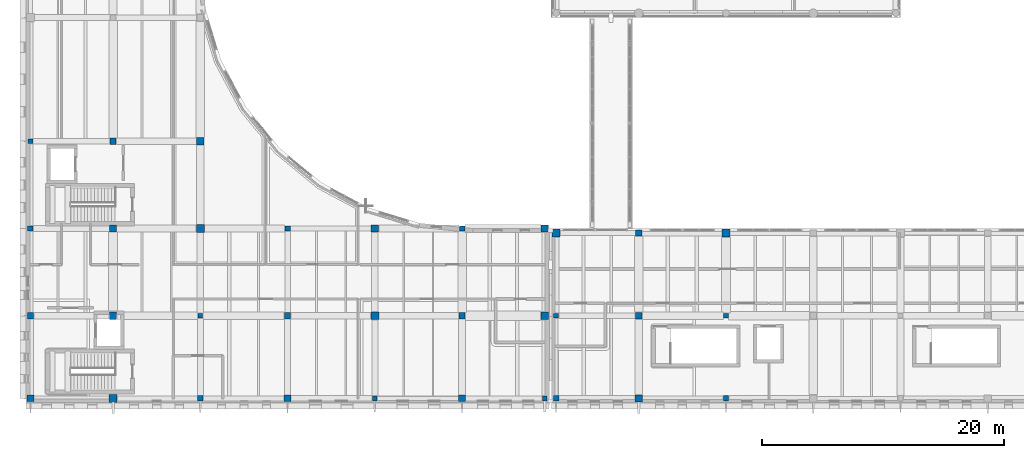
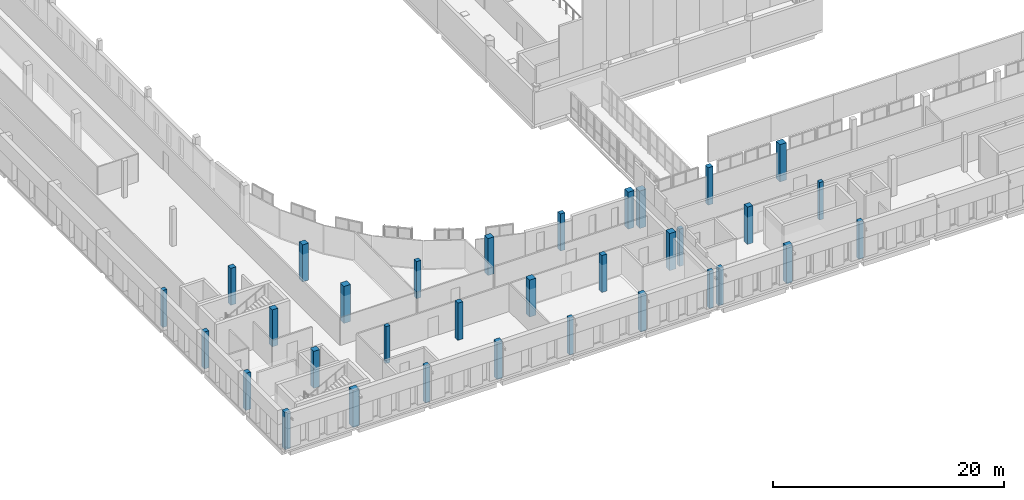
# One storey, part 1 of 76: 33 columns.
"""IFC4 building model written with IfcOpenShell, lengths in metres."""

import ifcopenshell
import ifcopenshell.guid

model = None  # the IFC model being written
_history = None  # IfcOwnerHistory: only IFC2X3 demands one
_inside = {}  # id of a spatial element -> (the spatial element, [elements in it])
_under = {}  # id of a project, library or spatial element -> (it, [spatial elements below it])
_declared = {}  # id of a project -> (the project, [libraries it declares])
_typed = {}  # id of a type object -> (the type object, [elements of that type])
_made_of = {}  # id of a material, layer set ... -> (it, [elements and type objects made of it])


def new_model(schema):
    """Start an empty IFC model of exactly this schema.

    Asked for "IFC4X3", IfcOpenShell would pick the latest addendum, in which some entities
    have other attributes; the version numbers below select the first issue.
    IFC2X3 requires an IfcOwnerHistory on every rooted entity: one is made here for all.
    """
    global model, _history
    if schema == "IFC4X3":
        model = ifcopenshell.file(schema_version=(4, 3, 0, 0))
    else:
        model = ifcopenshell.file(schema=schema)
    _inside.clear()
    _under.clear()
    _declared.clear()
    _typed.clear()
    _made_of.clear()
    _history = None
    if model.schema == "IFC2X3":
        org = make("IfcOrganization", Name="unknown")
        user = make(
            "IfcPersonAndOrganization",
            ThePerson=make("IfcPerson", FamilyName="unknown"),
            TheOrganization=org,
        )
        app = make(
            "IfcApplication",
            ApplicationDeveloper=org,
            Version="unknown",
            ApplicationFullName="unknown",
            ApplicationIdentifier="unknown",
        )
        _history = make(
            "IfcOwnerHistory",
            OwningUser=user,
            OwningApplication=app,
            ChangeAction="ADDED",
            CreationDate=0,
        )
    return model


def make(cls, **values):
    """One entity of the class cls with the attributes given. An attribute that is None is left unset."""
    return model.create_entity(
        cls, **{name: value for name, value in values.items() if value is not None}
    )


def rooted(cls, **values):
    """An entity with a GlobalId (a new one), such as an element, a storey or a relation."""
    return make(cls, GlobalId=ifcopenshell.guid.new(), OwnerHistory=_history, **values)


def si_unit(unit_type, name, prefix=None):
    """IfcSIUnit, for example si_unit("LENGTHUNIT", "METRE", prefix="MILLI")."""
    return make("IfcSIUnit", UnitType=unit_type, Prefix=prefix, Name=name)


def assignment(units):
    """IfcUnitAssignment: the units of a project."""
    return None if units is None else make("IfcUnitAssignment", Units=units)


def point(xyz):
    """IfcCartesianPoint."""
    return None if xyz is None else make("IfcCartesianPoint", Coordinates=xyz)


def direction(xyz):
    """IfcDirection."""
    return None if xyz is None else make("IfcDirection", DirectionRatios=xyz)


def frame(location, z_axis=None, x_axis=None):
    """IfcAxis2Placement3D, a coordinate frame: its origin and axes. An axis left out is left unset."""
    return make(
        "IfcAxis2Placement3D",
        Location=point(location),
        Axis=direction(z_axis),
        RefDirection=direction(x_axis),
    )


def frame_2d(location, x_axis=None):
    """IfcAxis2Placement2D, a coordinate frame in the plane: its origin and x axis."""
    return make(
        "IfcAxis2Placement2D", Location=point(location), RefDirection=direction(x_axis)
    )


def origin():
    """The frame at (0, 0, 0) with its axes left unset."""
    return frame((0.0, 0.0, 0.0))


def origin_2d():
    """The frame at (0, 0) in the plane with its x axis left unset."""
    return frame_2d((0.0, 0.0))


def place(relative_to, where):
    """IfcLocalPlacement: puts the frame where relative to a parent placement (None: the world)."""
    return make(
        "IfcLocalPlacement", PlacementRelTo=relative_to, RelativePlacement=where
    )


def context(
    kind, dimensions, precision=None, world=None, true_north=None, identifier=None
):
    """IfcGeometricRepresentationContext, for example the 3D "Model" context."""
    return make(
        "IfcGeometricRepresentationContext",
        ContextIdentifier=identifier,
        ContextType=kind,
        CoordinateSpaceDimension=dimensions,
        Precision=precision,
        WorldCoordinateSystem=world,
        TrueNorth=true_north,
    )


def subcontext(parent, identifier, kind, view, scale=None):
    """IfcGeometricRepresentationSubContext, for example "Body" below "Model"."""
    return make(
        "IfcGeometricRepresentationSubContext",
        ContextIdentifier=identifier,
        ContextType=kind,
        ParentContext=parent,
        TargetScale=scale,
        TargetView=view,
    )


def project(units=None, contexts=None):
    """IfcProject with its units and contexts."""
    return rooted(
        "IfcProject",
        Name="project",
        RepresentationContexts=contexts,
        UnitsInContext=assignment(units),
    )


def spatial(cls, under=None, at=None, **own):
    """A site, building, storey or space (cls), placed at a placement, below another one or the project."""
    s = rooted(cls, ObjectPlacement=at, **own)
    if under is not None:
        _under.setdefault(under.id(), (under, []))[1].append(s)
    return s


def profile(cls, at=None, kind="AREA", **sizes):
    """A parametric profile (cls). Its sizes go by their IFC names, for example OverallWidth=200.0."""
    return make(cls, ProfileType=kind, Position=at, **sizes)


def rectangle(**sizes):
    """IfcRectangleProfileDef."""
    return profile("IfcRectangleProfileDef", **sizes)


def extrude(swept, where, along, depth):
    """IfcExtrudedAreaSolid: the profile swept, set in the frame where, extruded along a direction by depth."""
    return make(
        "IfcExtrudedAreaSolid",
        SweptArea=swept,
        Position=where,
        ExtrudedDirection=direction(along),
        Depth=depth,
    )


def shape(context_of_items, identifier, shape_type, items):
    """IfcShapeRepresentation: the items that make up one representation, for example the "Body"."""
    return make(
        "IfcShapeRepresentation",
        ContextOfItems=context_of_items,
        RepresentationIdentifier=identifier,
        RepresentationType=shape_type,
        Items=items,
    )


def material(Name=None, Category=None):
    """IfcMaterial."""
    return make("IfcMaterial", Name=Name, Category=Category)


def material_profile(
    of_material, cross_section, Name=None, Category=None, Priority=None
):
    """IfcMaterialProfile: a cross section and its material."""
    return make(
        "IfcMaterialProfile",
        Name=Name,
        Material=of_material,
        Profile=cross_section,
        Priority=Priority,
        Category=Category,
    )


def profile_set(profiles, Name=None, composite=None):
    """IfcMaterialProfileSet."""
    return make(
        "IfcMaterialProfileSet",
        Name=Name,
        MaterialProfiles=profiles,
        CompositeProfile=composite,
    )


def made_of(thing, what):
    """Note that an element or type object is made of a material, layer set ...; save() writes the relation."""
    if what is not None:
        _made_of.setdefault(what.id(), (what, []))[1].append(thing)
    return thing


def type_object(cls, material=None, **own):
    """A type object (cls), such as IfcWallType, which elements share."""
    return made_of(rooted(cls, **own), material)


def element(
    cls,
    number,
    at=None,
    inside=None,
    cuts=None,
    type_object=None,
    material=None,
    context=None,
    identifier="Body",
    shape_type=None,
    held_by="IfcProductDefinitionShape",
    body=None,
    shapes=None,
    **own,
):
    """One element of the class cls, such as IfcWall. Its Tag is "e" and its number.

    at: its placement. inside: the storey or other place that contains it. cuts: it is an
    opening in that element (IfcRelVoidsElement). A single representation is given by context,
    identifier, shape_type and body (its items); several are given by shapes. held_by: the class
    of the entity that holds the representations. save() writes the other relations.
    """
    e = rooted(cls, Tag="e%d" % number, ObjectPlacement=at, **own)
    if body is not None:
        shapes = [shape(context, identifier, shape_type, body)]
    if shapes is not None:
        e.Representation = make(held_by, Representations=shapes)
    if inside is not None:
        _inside.setdefault(inside.id(), (inside, []))[1].append(e)
    if cuts is not None:
        rooted(
            "IfcRelVoidsElement", RelatingBuildingElement=cuts, RelatedOpeningElement=e
        )
    if type_object is not None:
        _typed.setdefault(type_object.id(), (type_object, []))[1].append(e)
    return made_of(e, material)


def aggregate(whole, parts):
    """IfcRelAggregates: a whole, such as a stair, and the parts it consists of."""
    return rooted("IfcRelAggregates", RelatingObject=whole, RelatedObjects=parts)


def save(model, path):
    """Write the relations noted so far, then the file.

    IfcRelAggregates (storeys below a building ...), IfcRelContainedInSpatialStructure (elements
    in a storey), IfcRelDefinesByType, IfcRelAssociatesMaterial and IfcRelDeclares: one each for
    every whole, place, type object, material and project.
    """
    for whole, parts in _under.values():
        aggregate(whole, parts)
    for where, things in _inside.values():
        rooted(
            "IfcRelContainedInSpatialStructure",
            RelatedElements=things,
            RelatingStructure=where,
        )
    for kind, things in _typed.values():
        rooted("IfcRelDefinesByType", RelatedObjects=things, RelatingType=kind)
    for what, things in _made_of.values():
        rooted("IfcRelAssociatesMaterial", RelatedObjects=things, RelatingMaterial=what)
    for by, libraries in _declared.values():
        rooted("IfcRelDeclares", RelatingContext=by, RelatedDefinitions=libraries)
    model.write(path)


model = new_model("IFC4")

# Units and contexts
model_context = context("Model", 3, precision=1e-05, world=origin(), true_north=direction((0.0, 1.0)))
body_context = subcontext(model_context, "Body", "Model", "MODEL_VIEW")
ifc_project = project(units=[si_unit("LENGTHUNIT", "METRE"), si_unit("AREAUNIT", "SQUARE_METRE"), si_unit("VOLUMEUNIT", "CUBIC_METRE"), si_unit("PLANEANGLEUNIT", "RADIAN"), si_unit("MASSUNIT", "GRAM", prefix="KILO")], contexts=[model_context])

# Site, building, storey
site_placement = place(None, origin())
site = spatial("IfcSite", under=ifc_project, at=site_placement, CompositionType="ELEMENT")
building_placement = place(site_placement, origin())
building = spatial("IfcBuilding", under=site, at=building_placement, Name="Vardoun Plaza Health Centre", CompositionType="ELEMENT")
storey_placement = place(building_placement, frame((0.0, 0.0, 4.5)))
storey = spatial("IfcBuildingStorey", under=building, at=storey_placement, Name="L01", CompositionType="ELEMENT", Elevation=4.5)

# Columns
ifc_material_1 = material(Name="Concrete C40/50", Category="concrete")
ifc_material_profile_1 = material_profile(ifc_material_1, rectangle(XDim=0.39990234375, YDim=0.39990234375, at=origin_2d()), Name="RC-COL 400x400")
ifc_profile_set_1 = profile_set([ifc_material_profile_1], Name="Concrete C40/50")
column_type_1 = type_object("IfcColumnType", Name="C-08", PredefinedType="COLUMN", material=ifc_profile_set_1)
for number, where, z_axis, x_axis, name in (
    (1, (4.8798828125, 26.10009765625, 0.0), (0.0, 0.0, 1.0), (1.0, 0.0, 0.0), "V2 L01 Column C-V2-04"),
    (2, (18.89990234375, 11.699951171875, 0.0), (0.0, 0.0, 1.0), (1.0, 0.0, 0.0), "V2 L01 Column C-V2-22"),
    (3, (33.300048828125, 4.8798828125, 0.0), (0.0, 0.0, 1.0), (1.0, 0.0, 0.0), "V2 L01 Column C-V2-34"),
    (4, (47.320068359375, 4.8798828125, 0.0), (0.0, 0.0, 1.0), (1.0, 0.0, 0.0), "V2 L01 Column C-V2-40"),
):
    element("IfcColumn", number, at=place(storey_placement, frame(where, z_axis=z_axis, x_axis=x_axis)), inside=storey, type_object=column_type_1, Name=name, PredefinedType="COLUMN", context=body_context, shape_type="SweptSolid", body=[
        extrude(rectangle(XDim=0.39990234375, YDim=0.39990234375, at=origin_2d()), origin(), (0.0, 0.0, 1.0), 3.919921875),
    ])
for number, where, z_axis, x_axis, name in (
    (5, (48.260009765625, 11.699951171875, 0.0), (0.0, 0.0, 1.0), (1.0, 0.0, 0.0), "V4 L01 Column C-V4-02"),
    (6, (62.280029296875, 11.699951171875, 0.0), (0.0, 0.0, 1.0), (1.0, 0.0, 0.0), "V4 L01 Column C-V4-08"),
):
    element("IfcColumn", number, at=place(storey_placement, frame(where, z_axis=z_axis, x_axis=x_axis)), inside=storey, type_object=column_type_1, Name=name, PredefinedType="COLUMN", context=body_context, shape_type="SweptSolid", body=[
        extrude(rectangle(XDim=0.39990234375, YDim=0.39990234375, at=origin_2d()), origin(), (0.0, 0.0, 1.0), 3.9599609375),
    ])
ifc_material_2 = material(Name="Concrete C40/50", Category="concrete")
ifc_material_profile_2 = material_profile(ifc_material_2, rectangle(XDim=0.449951171875, YDim=0.449951171875, at=origin_2d()), Name="RC-COL 450x450")
ifc_profile_set_2 = profile_set([ifc_material_profile_2], Name="Concrete C40/50")
column_type_2 = type_object("IfcColumnType", Name="C-07", PredefinedType="COLUMN", material=ifc_profile_set_2)
for number, where, z_axis, x_axis, name in (
    (7, (4.8798828125, 18.89990234375, 0.0), (0.0, 0.0, 1.0), (1.0, 0.0, 0.0), "V2 L01 Column C-V2-03"),
    (8, (18.89990234375, 4.8798828125, 0.0), (0.0, 0.0, 1.0), (1.0, 0.0, 0.0), "V2 L01 Column C-V2-21"),
    (9, (26.10009765625, 18.89990234375, 0.0), (0.0, 0.0, 1.0), (1.0, 0.0, 0.0), "V2 L01 Column C-V2-33"),
    (10, (40.5, 18.89990234375, 0.0), (0.0, 0.0, 1.0), (1.0, 0.0, 0.0), "V2 L01 Column C-V2-39"),
):
    element("IfcColumn", number, at=place(storey_placement, frame(where, z_axis=z_axis, x_axis=x_axis)), inside=storey, type_object=column_type_2, Name=name, PredefinedType="COLUMN", context=body_context, shape_type="SweptSolid", body=[
        extrude(rectangle(XDim=0.449951171875, YDim=0.449951171875, at=origin_2d()), origin(), (0.0, 0.0, 1.0), 3.919921875),
    ])
for number, where, z_axis, x_axis, name in (
    (11, (48.260009765625, 4.8798828125, 0.0), (0.0, 0.0, 1.0), (1.0, 0.0, 0.0), "V4 L01 Column C-V4-01"),
    (12, (62.280029296875, 4.8798828125, 0.0), (0.0, 0.0, 1.0), (1.0, 0.0, 0.0), "V4 L01 Column C-V4-07"),
):
    element("IfcColumn", number, at=place(storey_placement, frame(where, z_axis=z_axis, x_axis=x_axis)), inside=storey, type_object=column_type_2, Name=name, PredefinedType="COLUMN", context=body_context, shape_type="SweptSolid", body=[
        extrude(rectangle(XDim=0.449951171875, YDim=0.449951171875, at=origin_2d()), origin(), (0.0, 0.0, 1.0), 3.9599609375),
    ])
ifc_material_3 = material(Name="Concrete C40/50", Category="concrete")
ifc_material_profile_3 = material_profile(ifc_material_3, rectangle(XDim=0.5, YDim=0.5, at=origin_2d()), Name="RC-COL 500x500")
ifc_profile_set_3 = profile_set([ifc_material_profile_3], Name="Concrete C40/50")
column_type_3 = type_object("IfcColumnType", Name="C-06", PredefinedType="COLUMN", material=ifc_profile_set_3)
for number, where, z_axis, x_axis, name in (
    (13, (4.8798828125, 11.699951171875, 0.0), (0.0, 0.0, 1.0), (1.0, 0.0, 0.0), "V2 L01 Column C-V2-02"),
    (14, (11.699951171875, 26.10009765625, 0.0), (0.0, 0.0, 1.0), (1.0, 0.0, 0.0), "V2 L01 Column C-V2-14"),
    (15, (26.10009765625, 11.699951171875, 0.0), (0.0, 0.0, 1.0), (1.0, 0.0, 0.0), "V2 L01 Column C-V2-32"),
    (16, (40.5, 11.699951171875, 0.0), (0.0, 0.0, 1.0), (1.0, 0.0, 0.0), "V2 L01 Column C-V2-38"),
):
    element("IfcColumn", number, at=place(storey_placement, frame(where, z_axis=z_axis, x_axis=x_axis)), inside=storey, type_object=column_type_3, Name=name, PredefinedType="COLUMN", context=body_context, shape_type="SweptSolid", body=[
        extrude(rectangle(XDim=0.5, YDim=0.5, at=origin_2d()), origin(), (0.0, 0.0, 1.0), 3.919921875),
    ])
column_1_placement = place(storey_placement, frame((55.080078125, 18.52001953125, 0.0), z_axis=(0.0, 0.0, 1.0), x_axis=(1.0, 0.0, 0.0)))
element("IfcColumn", 17, at=column_1_placement, inside=storey, type_object=column_type_3, Name="V4 L01 Column C-V4-06", PredefinedType="COLUMN", context=body_context, shape_type="SweptSolid", body=[
    extrude(rectangle(XDim=0.5, YDim=0.5, at=origin_2d()), origin(), (0.0, 0.0, 1.0), 3.9599609375),
])
ifc_material_4 = material(Name="Concrete C40/50", Category="concrete")
ifc_material_profile_4 = material_profile(ifc_material_4, rectangle(XDim=0.550048828125, YDim=0.550048828125, at=origin_2d()), Name="RC-COL 550x550")
ifc_profile_set_4 = profile_set([ifc_material_profile_4], Name="Concrete C40/50")
column_type_4 = type_object("IfcColumnType", Name="C-05", PredefinedType="COLUMN", material=ifc_profile_set_4)
for number, where, z_axis, x_axis, name in (
    (18, (4.8798828125, 4.8798828125, 0.0), (0.0, 0.0, 1.0), (1.0, 0.0, 0.0), "V2 L01 Column C-V2-01"),
    (19, (11.699951171875, 18.89990234375, 0.0), (0.0, 0.0, 1.0), (1.0, 0.0, 0.0), "V2 L01 Column C-V2-13"),
    (20, (26.10009765625, 4.8798828125, 0.0), (0.0, 0.0, 1.0), (1.0, 0.0, 0.0), "V2 L01 Column C-V2-31"),
    (21, (40.5, 4.8798828125, 0.0), (0.0, 0.0, 1.0), (1.0, 0.0, 0.0), "V2 L01 Column C-V2-37"),
):
    element("IfcColumn", number, at=place(storey_placement, frame(where, z_axis=z_axis, x_axis=x_axis)), inside=storey, type_object=column_type_4, Name=name, PredefinedType="COLUMN", context=body_context, shape_type="SweptSolid", body=[
        extrude(rectangle(XDim=0.550048828125, YDim=0.550048828125, at=origin_2d()), origin(), (0.0, 0.0, 1.0), 3.919921875),
    ])
column_2_placement = place(storey_placement, frame((55.080078125, 11.699951171875, 0.0), z_axis=(0.0, 0.0, 1.0), x_axis=(1.0, 0.0, 0.0)))
element("IfcColumn", 22, at=column_2_placement, inside=storey, type_object=column_type_4, Name="V4 L01 Column C-V4-05", PredefinedType="COLUMN", context=body_context, shape_type="SweptSolid", body=[
    extrude(rectangle(XDim=0.550048828125, YDim=0.550048828125, at=origin_2d()), origin(), (0.0, 0.0, 1.0), 3.9599609375),
])
ifc_material_5 = material(Name="Concrete C40/50", Category="concrete")
ifc_material_profile_5 = material_profile(ifc_material_5, rectangle(XDim=0.60009765625, YDim=0.60009765625, at=origin_2d()), Name="RC-COL 600x600")
ifc_profile_set_5 = profile_set([ifc_material_profile_5], Name="Concrete C40/50")
column_type_5 = type_object("IfcColumnType", Name="C-04", PredefinedType="COLUMN", material=ifc_profile_set_5)
for number, where, z_axis, x_axis, name in (
    (23, (11.699951171875, 11.699951171875, 0.0), (0.0, 0.0, 1.0), (1.0, 0.0, 0.0), "V2 L01 Column C-V2-12"),
    (24, (18.89990234375, 26.10009765625, 0.0), (0.0, 0.0, 1.0), (1.0, 0.0, 0.0), "V2 L01 Column C-V2-24"),
    (25, (33.300048828125, 18.89990234375, 0.0), (0.0, 0.0, 1.0), (1.0, 0.0, 0.0), "V2 L01 Column C-V2-36"),
    (26, (47.320068359375, 18.89990234375, 0.0), (0.0, 0.0, 1.0), (1.0, 0.0, 0.0), "V2 L01 Column C-V2-42"),
):
    element("IfcColumn", number, at=place(storey_placement, frame(where, z_axis=z_axis, x_axis=x_axis)), inside=storey, type_object=column_type_5, Name=name, PredefinedType="COLUMN", context=body_context, shape_type="SweptSolid", body=[
        extrude(rectangle(XDim=0.60009765625, YDim=0.60009765625, at=origin_2d()), origin(), (0.0, 0.0, 1.0), 3.919921875),
    ])
column_3_placement = place(storey_placement, frame((55.080078125, 4.8798828125, 0.0), z_axis=(0.0, 0.0, 1.0), x_axis=(1.0, 0.0, 0.0)))
element("IfcColumn", 27, at=column_3_placement, inside=storey, type_object=column_type_5, Name="V4 L01 Column C-V4-04", PredefinedType="COLUMN", context=body_context, shape_type="SweptSolid", body=[
    extrude(rectangle(XDim=0.60009765625, YDim=0.60009765625, at=origin_2d()), origin(), (0.0, 0.0, 1.0), 3.9599609375),
])
ifc_material_6 = material(Name="Concrete C40/50", Category="concrete")
ifc_material_profile_6 = material_profile(ifc_material_6, rectangle(XDim=0.64990234375, YDim=0.64990234375, at=origin_2d()), Name="RC-COL 650x650")
ifc_profile_set_6 = profile_set([ifc_material_profile_6], Name="Concrete C40/50")
column_type_6 = type_object("IfcColumnType", Name="C-03", PredefinedType="COLUMN", material=ifc_profile_set_6)
for number, where, z_axis, x_axis, name in (
    (28, (11.699951171875, 4.8798828125, 0.0), (0.0, 0.0, 1.0), (1.0, 0.0, 0.0), "V2 L01 Column C-V2-11"),
    (29, (18.89990234375, 18.89990234375, 0.0), (0.0, 0.0, 1.0), (1.0, 0.0, 0.0), "V2 L01 Column C-V2-23"),
    (30, (33.300048828125, 11.699951171875, 0.0), (0.0, 0.0, 1.0), (1.0, 0.0, 0.0), "V2 L01 Column C-V2-35"),
    (31, (47.320068359375, 11.699951171875, 0.0), (0.0, 0.0, 1.0), (1.0, 0.0, 0.0), "V2 L01 Column C-V2-41"),
):
    element("IfcColumn", number, at=place(storey_placement, frame(where, z_axis=z_axis, x_axis=x_axis)), inside=storey, type_object=column_type_6, Name=name, PredefinedType="COLUMN", context=body_context, shape_type="SweptSolid", body=[
        extrude(rectangle(XDim=0.64990234375, YDim=0.64990234375, at=origin_2d()), origin(), (0.0, 0.0, 1.0), 3.919921875),
    ])
for number, where, z_axis, x_axis, name in (
    (32, (48.260009765625, 18.52001953125, 0.0), (0.0, 0.0, 1.0), (1.0, 0.0, 0.0), "V4 L01 Column C-V4-03"),
    (33, (62.280029296875, 18.52001953125, 0.0), (0.0, 0.0, 1.0), (1.0, 0.0, 0.0), "V4 L01 Column C-V4-09"),
):
    element("IfcColumn", number, at=place(storey_placement, frame(where, z_axis=z_axis, x_axis=x_axis)), inside=storey, type_object=column_type_6, Name=name, PredefinedType="COLUMN", context=body_context, shape_type="SweptSolid", body=[
        extrude(rectangle(XDim=0.64990234375, YDim=0.64990234375, at=origin_2d()), origin(), (0.0, 0.0, 1.0), 3.9599609375),
    ])

save(model, "model.ifc")
